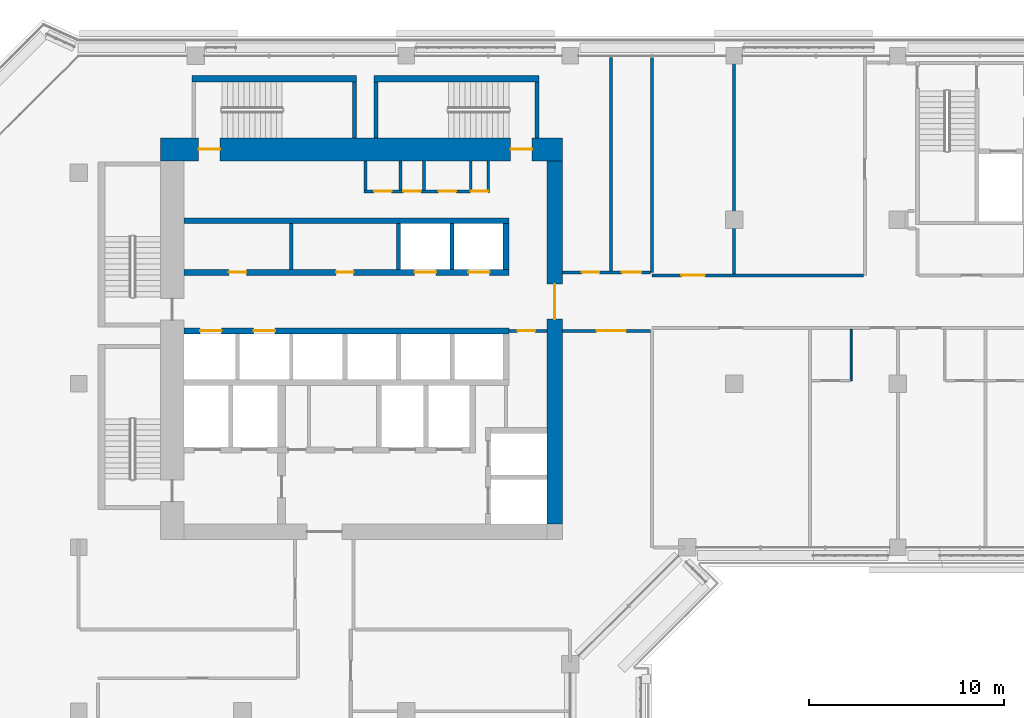
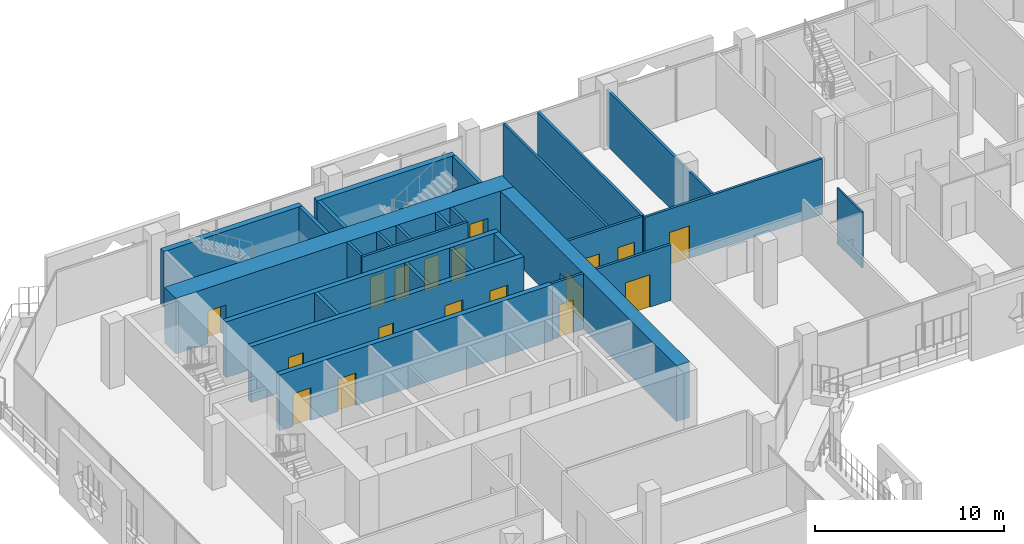
# One storey, part 12 of 21: 28 walls, 18 doors, 18 openings.
"""IFC4 building model written with IfcOpenShell, lengths in metres."""

from ifc_helpers import new_model, si_unit, direction, frame, frame_2d, origin, place, context, subcontext, project, spatial, rectangle, extrude, material, layer, layer_set, type_object, element, fill, save


model = new_model("IFC4")

# Units and contexts
model_context = context("Model", 3, precision=1e-05, world=origin(), true_north=direction((0.0, 1.0)))
body_context = subcontext(model_context, "Body", "Model", "MODEL_VIEW")
ifc_project = project(units=[si_unit("LENGTHUNIT", "METRE"), si_unit("AREAUNIT", "SQUARE_METRE"), si_unit("VOLUMEUNIT", "CUBIC_METRE"), si_unit("PLANEANGLEUNIT", "RADIAN"), si_unit("MASSUNIT", "GRAM", prefix="KILO")], contexts=[model_context])

# Site, building, storey
site_placement = place(None, origin())
site = spatial("IfcSite", under=ifc_project, at=site_placement, CompositionType="ELEMENT")
building_placement = place(site_placement, origin())
building = spatial("IfcBuilding", under=site, at=building_placement, Name="Kawkab Arch Medical Tower", CompositionType="ELEMENT")
storey_placement = place(building_placement, frame((0.0, 0.0, 234.800048828125)))
storey = spatial("IfcBuildingStorey", under=building, at=storey_placement, Name="L54", CompositionType="ELEMENT", Elevation=234.800048828125)

# Wall, openings, doors
ifc_material_1 = material(Name="Concrete C50/60", Category="concrete")
ifc_layer_1 = layer(ifc_material_1, 1.199951171875)
ifc_layer_set_1 = layer_set([ifc_layer_1], Name="Concrete C50/60")
wall_type_1 = type_object("IfcWallType", Name="Core ring wall 1200 C50/60", PredefinedType="SHEAR", material=ifc_layer_set_1)
wall_1_placement = place(storey_placement, frame((4.199951171875, -4.800048828125, 0.0), z_axis=(0.0, 0.0, 1.0), x_axis=(1.0, 0.0, 0.0)))
wall_1 = element("IfcWall", 1, at=wall_1_placement, inside=storey, type_object=wall_type_1, Name="L54 core wall", PredefinedType="SHEAR", context=body_context, shape_type="SweptSolid", body=[
    extrude(rectangle(XDim=20.60009765625, YDim=1.199951171875, at=frame_2d((10.300048828125, 0.0))), origin(), (0.0, 0.0, 1.0), 3.599853515625),
])
opening_1_placement = place(wall_1_placement, frame((1.949951171875, 0.0, 0.0)))
opening_1 = element("IfcOpeningElement", 2, at=opening_1_placement, cuts=wall_1, Name="Opening SD", PredefinedType="OPENING", context=body_context, shape_type="SweptSolid", body=[
    extrude(rectangle(XDim=1.10009765625, YDim=2.10009765625, at=frame_2d((0.550048828125, 1.050048828125))), frame((0.0, 0.60986328125, 0.0), z_axis=(0.0, -1.0, 0.0), x_axis=(1.0, 0.0, 0.0)), (0.0, 0.0, 1.0), 1.219970703125),
])
opening_2_placement = place(wall_1_placement, frame((17.949951171875, 0.0, 0.0)))
opening_2 = element("IfcOpeningElement", 3, at=opening_2_placement, cuts=wall_1, Name="Opening SD", PredefinedType="OPENING", context=body_context, shape_type="SweptSolid", body=[
    extrude(rectangle(XDim=1.10009765625, YDim=2.10009765625, at=frame_2d((0.550048828125, 1.050048828125))), frame((0.0, 0.60986328125, 0.0), z_axis=(0.0, -1.0, 0.0), x_axis=(1.0, 0.0, 0.0)), (0.0, 0.0, 1.0), 1.219970703125),
])
ifc_material_2 = material(Name="Hollow metal fire door leaf")
door_type_1 = type_object("IfcDoorType", Name="Exit stair door 1100", OperationType="SINGLE_SWING_LEFT", PredefinedType="DOOR", material=ifc_material_2)
door_1_placement = place(opening_1_placement, origin())
door_1 = element("IfcDoor", 4, at=door_1_placement, inside=storey, type_object=door_type_1, Name="L54 Exit stair ST3 door", OperationType="SINGLE_SWING_LEFT", OverallHeight=2.10009765625, OverallWidth=1.10009765625, PredefinedType="DOOR", context=body_context, shape_type="SweptSolid", body=[
    extrude(rectangle(XDim=1.10009765625, YDim=2.10009765625, at=frame_2d((0.550048828125, 1.050048828125))), frame((0.0, 0.02490234375, 0.0), z_axis=(0.0, -1.0, 0.0), x_axis=(1.0, 0.0, 0.0)), (0.0, 0.0, 1.0), 0.050048828125),
])
fill(opening_1, door_1)
door_2_placement = place(opening_2_placement, origin())
door_2 = element("IfcDoor", 5, at=door_2_placement, inside=storey, type_object=door_type_1, Name="L54 Exit stair ST4 door", OperationType="SINGLE_SWING_LEFT", OverallHeight=2.10009765625, OverallWidth=1.10009765625, PredefinedType="DOOR", context=body_context, shape_type="SweptSolid", body=[
    extrude(rectangle(XDim=1.10009765625, YDim=2.10009765625, at=frame_2d((0.550048828125, 1.050048828125))), frame((0.0, 0.02490234375, 0.0), z_axis=(0.0, -1.0, 0.0), x_axis=(1.0, 0.0, 0.0)), (0.0, 0.0, 1.0), 0.050048828125),
])
fill(opening_2, door_2)

# Wall, opening, door
ifc_material_3 = material(Name="Concrete C50/60", Category="concrete")
ifc_layer_2 = layer(ifc_material_3, 0.800048828125)
ifc_layer_set_2 = layer_set([ifc_layer_2], Name="Concrete C50/60")
wall_type_2 = type_object("IfcWallType", Name="Core ring wall 800 C50/60", PredefinedType="SHEAR", material=ifc_layer_set_2)
wall_2_placement = place(storey_placement, frame((24.39990234375, -24.0, 0.0), z_axis=(0.0, 0.0, 1.0), x_axis=(0.0, 1.0, 0.0)))
wall_2 = element("IfcWall", 6, at=wall_2_placement, inside=storey, type_object=wall_type_2, Name="L54 core wall", PredefinedType="SHEAR", context=body_context, shape_type="SweptSolid", body=[
    extrude(rectangle(XDim=18.60009765625, YDim=0.800048828125, at=frame_2d((9.300048828125, 0.0))), origin(), (0.0, 0.0, 1.0), 3.599853515625),
])
opening_3_placement = place(wall_2_placement, frame((10.5, 0.0, 0.0)))
opening_3 = element("IfcOpeningElement", 7, at=opening_3_placement, cuts=wall_2, Name="Opening PD", PredefinedType="OPENING", context=body_context, shape_type="SweptSolid", body=[
    extrude(rectangle(XDim=1.800048828125, YDim=2.10009765625, at=frame_2d((0.89990234375, 1.050048828125))), frame((0.0, 0.409912109375, 0.0), z_axis=(0.0, -1.0, 0.0), x_axis=(1.0, 0.0, 0.0)), (0.0, 0.0, 1.0), 0.820068359375),
])
ifc_material_4 = material(Name="Hollow metal fire door leaf")
door_type_2 = type_object("IfcDoorType", Name="Core entrance doors 1800", OperationType="DOUBLE_DOOR_SINGLE_SWING", PredefinedType="DOOR", material=ifc_material_4)
door_3_placement = place(opening_3_placement, origin())
door_3 = element("IfcDoor", 8, at=door_3_placement, inside=storey, type_object=door_type_2, Name="L54 East entrance doors", OperationType="DOUBLE_DOOR_SINGLE_SWING", OverallHeight=2.10009765625, OverallWidth=1.800048828125, PredefinedType="DOOR", context=body_context, shape_type="SweptSolid", body=[
    extrude(rectangle(XDim=1.800048828125, YDim=2.10009765625, at=frame_2d((0.89990234375, 1.050048828125))), frame((0.0, 0.02490234375, 0.0), z_axis=(0.0, -1.0, 0.0), x_axis=(1.0, 0.0, 0.0)), (0.0, 0.0, 1.0), 0.050048828125),
])
fill(opening_3, door_3)

ifc_material_5 = material(Name="Gypsum board on steel studs", Category="steel")
ifc_layer_3 = layer(ifc_material_5, 0.14990234375)
ifc_layer_set_3 = layer_set([ifc_layer_3], Name="Gypsum board on steel studs")
wall_type_3 = type_object("IfcWallType", Name="Core room partition 150", PredefinedType="PARTITIONING", material=ifc_layer_set_3)
wall_3_placement = place(storey_placement, frame((22.050048828125, -14.10009765625, 0.0), z_axis=(0.0, 0.0, 1.0), x_axis=(1.0, 0.0, 0.0)))
wall_3 = element("IfcWall", 9, at=wall_3_placement, inside=storey, type_object=wall_type_3, Name="L54 core room partition", PredefinedType="PARTITIONING", context=body_context, shape_type="SweptSolid", body=[
    extrude(rectangle(XDim=1.949951171875, YDim=0.14990234375, at=frame_2d((0.97509765625, 0.0))), origin(), (0.0, 0.0, 1.0), 3.599853515625),
])
opening_4_placement = place(wall_3_placement, frame((0.449951171875, 0.0, 0.0)))
opening_4 = element("IfcOpeningElement", 10, at=opening_4_placement, cuts=wall_3, Name="Opening RD", PredefinedType="OPENING", context=body_context, shape_type="SweptSolid", body=[
    extrude(rectangle(XDim=0.89990234375, YDim=2.10009765625, at=frame_2d((0.449951171875, 1.050048828125))), frame((0.0, 0.0849609375, 0.0), z_axis=(0.0, -1.0, 0.0), x_axis=(1.0, 0.0, 0.0)), (0.0, 0.0, 1.0), 0.169921875),
])
ifc_material_6 = material(Name="Hollow metal fire door leaf")
door_type_3 = type_object("IfcDoorType", Name="Core room door 900", OperationType="SINGLE_SWING_LEFT", PredefinedType="DOOR", material=ifc_material_6)
door_4_placement = place(opening_4_placement, origin())
door_4 = element("IfcDoor", 11, at=door_4_placement, inside=storey, type_object=door_type_3, Name="L54 Data room door", OperationType="SINGLE_SWING_LEFT", OverallHeight=2.10009765625, OverallWidth=0.89990234375, PredefinedType="DOOR", context=body_context, shape_type="SweptSolid", body=[
    extrude(rectangle(XDim=0.89990234375, YDim=2.10009765625, at=frame_2d((0.449951171875, 1.050048828125))), frame((0.0, 0.02490234375, 0.0), z_axis=(0.0, -1.0, 0.0), x_axis=(1.0, 0.0, 0.0)), (0.0, 0.0, 1.0), 0.050048828125),
])
fill(opening_4, door_4)

# Wall, openings, doors
wall_4_placement = place(storey_placement, frame((14.625, -6.949951171875, 0.0), z_axis=(0.0, 0.0, 1.0), x_axis=(1.0, 0.0, 0.0)))
wall_4 = element("IfcWall", 12, at=wall_4_placement, inside=storey, type_object=wall_type_3, Name="L54 core room partition", PredefinedType="PARTITIONING", context=body_context, shape_type="SweptSolid", body=[
    extrude(rectangle(XDim=6.449951171875, YDim=0.14990234375, at=frame_2d((3.22509765625, 0.0))), origin(), (0.0, 0.0, 1.0), 3.599853515625),
])
opening_5_placement = place(wall_4_placement, frame((0.52490234375, 0.0, 0.0)))
opening_5 = element("IfcOpeningElement", 13, at=opening_5_placement, cuts=wall_4, Name="Opening RD", PredefinedType="OPENING", context=body_context, shape_type="SweptSolid", body=[
    extrude(rectangle(XDim=0.89990234375, YDim=2.10009765625, at=frame_2d((0.449951171875, 1.050048828125))), frame((0.0, 0.0849609375, 0.0), z_axis=(0.0, -1.0, 0.0), x_axis=(1.0, 0.0, 0.0)), (0.0, 0.0, 1.0), 0.169921875),
])
opening_6_placement = place(wall_4_placement, frame((2.02490234375, 0.0, 0.0)))
opening_6 = element("IfcOpeningElement", 14, at=opening_6_placement, cuts=wall_4, Name="Opening RD", PredefinedType="OPENING", context=body_context, shape_type="SweptSolid", body=[
    extrude(rectangle(XDim=0.89990234375, YDim=2.10009765625, at=frame_2d((0.449951171875, 1.050048828125))), frame((0.0, 0.0849609375, 0.0), z_axis=(0.0, -1.0, 0.0), x_axis=(1.0, 0.0, 0.0)), (0.0, 0.0, 1.0), 0.169921875),
])
opening_7_placement = place(wall_4_placement, frame((3.824951171875, 0.0, 0.0)))
opening_7 = element("IfcOpeningElement", 15, at=opening_7_placement, cuts=wall_4, Name="Opening RD", PredefinedType="OPENING", context=body_context, shape_type="SweptSolid", body=[
    extrude(rectangle(XDim=0.89990234375, YDim=2.10009765625, at=frame_2d((0.449951171875, 1.050048828125))), frame((0.0, 0.0849609375, 0.0), z_axis=(0.0, -1.0, 0.0), x_axis=(1.0, 0.0, 0.0)), (0.0, 0.0, 1.0), 0.169921875),
])
opening_8_placement = place(wall_4_placement, frame((5.47509765625, 0.0, 0.0)))
opening_8 = element("IfcOpeningElement", 16, at=opening_8_placement, cuts=wall_4, Name="Opening RD", PredefinedType="OPENING", context=body_context, shape_type="SweptSolid", body=[
    extrude(rectangle(XDim=0.89990234375, YDim=2.10009765625, at=frame_2d((0.449951171875, 1.050048828125))), frame((0.0, 0.0849609375, 0.0), z_axis=(0.0, -1.0, 0.0), x_axis=(1.0, 0.0, 0.0)), (0.0, 0.0, 1.0), 0.169921875),
])
door_5_placement = place(opening_5_placement, origin())
door_5 = element("IfcDoor", 17, at=door_5_placement, inside=storey, type_object=door_type_3, Name="L54 Comms room door", OperationType="SINGLE_SWING_LEFT", OverallHeight=2.10009765625, OverallWidth=0.89990234375, PredefinedType="DOOR", context=body_context, shape_type="SweptSolid", body=[
    extrude(rectangle(XDim=0.89990234375, YDim=2.10009765625, at=frame_2d((0.449951171875, 1.050048828125))), frame((0.0, 0.02490234375, 0.0), z_axis=(0.0, -1.0, 0.0), x_axis=(1.0, 0.0, 0.0)), (0.0, 0.0, 1.0), 0.050048828125),
])
fill(opening_5, door_5)
door_6_placement = place(opening_6_placement, origin())
door_6 = element("IfcDoor", 18, at=door_6_placement, inside=storey, type_object=door_type_3, Name="L54 Electrical riser room door", OperationType="SINGLE_SWING_LEFT", OverallHeight=2.10009765625, OverallWidth=0.89990234375, PredefinedType="DOOR", context=body_context, shape_type="SweptSolid", body=[
    extrude(rectangle(XDim=0.89990234375, YDim=2.10009765625, at=frame_2d((0.449951171875, 1.050048828125))), frame((0.0, 0.02490234375, 0.0), z_axis=(0.0, -1.0, 0.0), x_axis=(1.0, 0.0, 0.0)), (0.0, 0.0, 1.0), 0.050048828125),
])
fill(opening_6, door_6)
door_7_placement = place(opening_7_placement, origin())
door_7 = element("IfcDoor", 19, at=door_7_placement, inside=storey, type_object=door_type_3, Name="L54 General store door", OperationType="SINGLE_SWING_LEFT", OverallHeight=2.10009765625, OverallWidth=0.89990234375, PredefinedType="DOOR", context=body_context, shape_type="SweptSolid", body=[
    extrude(rectangle(XDim=0.89990234375, YDim=2.10009765625, at=frame_2d((0.449951171875, 1.050048828125))), frame((0.0, 0.02490234375, 0.0), z_axis=(0.0, -1.0, 0.0), x_axis=(1.0, 0.0, 0.0)), (0.0, 0.0, 1.0), 0.050048828125),
])
fill(opening_7, door_7)
door_8_placement = place(opening_8_placement, origin())
door_8 = element("IfcDoor", 20, at=door_8_placement, inside=storey, type_object=door_type_3, Name="L54 UPS room door", OperationType="SINGLE_SWING_LEFT", OverallHeight=2.10009765625, OverallWidth=0.89990234375, PredefinedType="DOOR", context=body_context, shape_type="SweptSolid", body=[
    extrude(rectangle(XDim=0.89990234375, YDim=2.10009765625, at=frame_2d((0.449951171875, 1.050048828125))), frame((0.0, 0.02490234375, 0.0), z_axis=(0.0, -1.0, 0.0), x_axis=(1.0, 0.0, 0.0)), (0.0, 0.0, 1.0), 0.050048828125),
])
fill(opening_8, door_8)

# Walls
for number, where, z_axis, x_axis, name in (
    (21, (14.699951171875, -6.875, 0.0), (0.0, 0.0, 1.0), (0.0, 1.0, 0.0), "L54 core room partition"),
    (22, (16.5, -6.875, 0.0), (0.0, 0.0, 1.0), (0.0, 1.0, 0.0), "L54 core room partition"),
    (23, (17.699951171875, -6.875, 0.0), (0.0, 0.0, 1.0), (0.0, 1.0, 0.0), "L54 core room partition"),
    (24, (20.10009765625, -6.875, 0.0), (0.0, 0.0, 1.0), (0.0, 1.0, 0.0), "L54 core room partition"),
    (25, (21.0, -6.875, 0.0), (0.0, 0.0, 1.0), (0.0, 1.0, 0.0), "L54 core room partition"),
):
    element("IfcWall", number, at=place(storey_placement, frame(where, z_axis=z_axis, x_axis=x_axis)), inside=storey, type_object=wall_type_3, Name=name, PredefinedType="PARTITIONING", context=body_context, shape_type="SweptSolid", body=[
        extrude(rectangle(XDim=1.47509765625, YDim=0.14990234375, at=frame_2d((0.737548828125, 0.0))), origin(), (0.0, 0.0, 1.0), 3.599853515625),
    ])
ifc_material_7 = material(Name="Concrete C60/75", Category="concrete")
ifc_layer_4 = layer(ifc_material_7, 0.300048828125)
ifc_layer_set_4 = layer_set([ifc_layer_4], Name="Concrete C60/75")
wall_type_4 = type_object("IfcWallType", Name="Core shear wall 300 C60/75", PredefinedType="SHEAR", material=ifc_layer_set_4)
wall_5_placement = place(storey_placement, frame((5.39990234375, -8.449951171875, 0.0), z_axis=(0.0, 0.0, 1.0), x_axis=(1.0, 0.0, 0.0)))
element("IfcWall", 26, at=wall_5_placement, inside=storey, type_object=wall_type_4, Name="L54 core shear wall", PredefinedType="SHEAR", context=body_context, shape_type="SweptSolid", body=[
    extrude(rectangle(XDim=16.650146484375, YDim=0.300048828125, at=frame_2d((8.3251953125, 0.0))), origin(), (0.0, 0.0, 1.0), 3.599853515625),
])

# Wall, openings, doors
wall_6_placement = place(storey_placement, frame((5.39990234375, -11.10009765625, 0.0), z_axis=(0.0, 0.0, 1.0), x_axis=(1.0, 0.0, 0.0)))
wall_6 = element("IfcWall", 27, at=wall_6_placement, inside=storey, type_object=wall_type_4, Name="L54 core shear wall", PredefinedType="SHEAR", context=body_context, shape_type="SweptSolid", body=[
    extrude(rectangle(XDim=16.650146484375, YDim=0.300048828125, at=frame_2d((8.3251953125, 0.0))), origin(), (0.0, 0.0, 1.0), 3.599853515625),
])
opening_9_placement = place(wall_6_placement, frame((11.824951171875, 0.0, 0.0)))
opening_9 = element("IfcOpeningElement", 28, at=opening_9_placement, cuts=wall_6, Name="Opening LD1", PredefinedType="OPENING", context=body_context, shape_type="SweptSolid", body=[
    extrude(rectangle(XDim=1.10009765625, YDim=2.10009765625, at=frame_2d((0.550048828125, 1.050048828125))), frame((0.0, 0.159912109375, 0.0), z_axis=(0.0, -1.0, 0.0), x_axis=(1.0, 0.0, 0.0)), (0.0, 0.0, 1.0), 0.320068359375),
])
opening_10_placement = place(wall_6_placement, frame((14.574951171875, 0.0, 0.0)))
opening_10 = element("IfcOpeningElement", 29, at=opening_10_placement, cuts=wall_6, Name="Opening LD1", PredefinedType="OPENING", context=body_context, shape_type="SweptSolid", body=[
    extrude(rectangle(XDim=1.10009765625, YDim=2.10009765625, at=frame_2d((0.550048828125, 1.050048828125))), frame((0.0, 0.159912109375, 0.0), z_axis=(0.0, -1.0, 0.0), x_axis=(1.0, 0.0, 0.0)), (0.0, 0.0, 1.0), 0.320068359375),
])
opening_11_placement = place(wall_6_placement, frame((2.300048828125, 0.0, 0.0)))
opening_11 = element("IfcOpeningElement", 30, at=opening_11_placement, cuts=wall_6, Name="Opening RD", PredefinedType="OPENING", context=body_context, shape_type="SweptSolid", body=[
    extrude(rectangle(XDim=0.89990234375, YDim=2.10009765625, at=frame_2d((0.449951171875, 1.050048828125))), frame((0.0, 0.159912109375, 0.0), z_axis=(0.0, -1.0, 0.0), x_axis=(1.0, 0.0, 0.0)), (0.0, 0.0, 1.0), 0.320068359375),
])
opening_12_placement = place(wall_6_placement, frame((7.800048828125, 0.0, 0.0)))
opening_12 = element("IfcOpeningElement", 31, at=opening_12_placement, cuts=wall_6, Name="Opening RD", PredefinedType="OPENING", context=body_context, shape_type="SweptSolid", body=[
    extrude(rectangle(XDim=0.89990234375, YDim=2.10009765625, at=frame_2d((0.449951171875, 1.050048828125))), frame((0.0, 0.159912109375, 0.0), z_axis=(0.0, -1.0, 0.0), x_axis=(1.0, 0.0, 0.0)), (0.0, 0.0, 1.0), 0.320068359375),
])
door_9_placement = place(opening_11_placement, origin())
door_9 = element("IfcDoor", 32, at=door_9_placement, inside=storey, type_object=door_type_3, Name="L54 Ward pantry door", OperationType="SINGLE_SWING_LEFT", OverallHeight=2.10009765625, OverallWidth=0.89990234375, PredefinedType="DOOR", context=body_context, shape_type="SweptSolid", body=[
    extrude(rectangle(XDim=0.89990234375, YDim=2.10009765625, at=frame_2d((0.449951171875, 1.050048828125))), frame((0.0, 0.02490234375, 0.0), z_axis=(0.0, -1.0, 0.0), x_axis=(1.0, 0.0, 0.0)), (0.0, 0.0, 1.0), 0.050048828125),
])
fill(opening_11, door_9)
door_10_placement = place(opening_12_placement, origin())
door_10 = element("IfcDoor", 33, at=door_10_placement, inside=storey, type_object=door_type_3, Name="L54 Comms room door", OperationType="SINGLE_SWING_LEFT", OverallHeight=2.10009765625, OverallWidth=0.89990234375, PredefinedType="DOOR", context=body_context, shape_type="SweptSolid", body=[
    extrude(rectangle(XDim=0.89990234375, YDim=2.10009765625, at=frame_2d((0.449951171875, 1.050048828125))), frame((0.0, 0.02490234375, 0.0), z_axis=(0.0, -1.0, 0.0), x_axis=(1.0, 0.0, 0.0)), (0.0, 0.0, 1.0), 0.050048828125),
])
fill(opening_12, door_10)
ifc_material_8 = material(Name="Stainless steel lift door leaf", Category="steel")
door_type_4 = type_object("IfcDoorType", Name="Lift landing door 1100", OperationType="DOUBLE_DOOR_SLIDING", PredefinedType="DOOR", material=ifc_material_8)
door_11_placement = place(opening_9_placement, origin())
door_11 = element("IfcDoor", 34, at=door_11_placement, inside=storey, type_object=door_type_4, Name="L54 Lift landing door MP1", OperationType="DOUBLE_DOOR_SLIDING", OverallHeight=2.10009765625, OverallWidth=1.10009765625, PredefinedType="DOOR", context=body_context, shape_type="SweptSolid", body=[
    extrude(rectangle(XDim=1.10009765625, YDim=2.10009765625, at=frame_2d((0.550048828125, 1.050048828125))), frame((0.0, 0.02490234375, 0.0), z_axis=(0.0, -1.0, 0.0), x_axis=(1.0, 0.0, 0.0)), (0.0, 0.0, 1.0), 0.050048828125),
])
fill(opening_9, door_11)
door_12_placement = place(opening_10_placement, origin())
door_12 = element("IfcDoor", 35, at=door_12_placement, inside=storey, type_object=door_type_4, Name="L54 Lift landing door MP2", OperationType="DOUBLE_DOOR_SLIDING", OverallHeight=2.10009765625, OverallWidth=1.10009765625, PredefinedType="DOOR", context=body_context, shape_type="SweptSolid", body=[
    extrude(rectangle(XDim=1.10009765625, YDim=2.10009765625, at=frame_2d((0.550048828125, 1.050048828125))), frame((0.0, 0.02490234375, 0.0), z_axis=(0.0, -1.0, 0.0), x_axis=(1.0, 0.0, 0.0)), (0.0, 0.0, 1.0), 0.050048828125),
])
fill(opening_10, door_12)

wall_7_placement = place(storey_placement, frame((5.39990234375, -14.10009765625, 0.0), z_axis=(0.0, 0.0, 1.0), x_axis=(1.0, 0.0, 0.0)))
wall_7 = element("IfcWall", 36, at=wall_7_placement, inside=storey, type_object=wall_type_4, Name="L54 core shear wall", PredefinedType="SHEAR", context=body_context, shape_type="SweptSolid", body=[
    extrude(rectangle(XDim=16.650146484375, YDim=0.300048828125, at=frame_2d((8.3251953125, 0.0))), origin(), (0.0, 0.0, 1.0), 3.599853515625),
])
opening_13_placement = place(wall_7_placement, frame((0.824951171875, 0.0, 0.0)))
opening_13 = element("IfcOpeningElement", 37, at=opening_13_placement, cuts=wall_7, Name="Opening LD1", PredefinedType="OPENING", context=body_context, shape_type="SweptSolid", body=[
    extrude(rectangle(XDim=1.10009765625, YDim=2.10009765625, at=frame_2d((0.550048828125, 1.050048828125))), frame((0.0, 0.159912109375, 0.0), z_axis=(0.0, -1.0, 0.0), x_axis=(1.0, 0.0, 0.0)), (0.0, 0.0, 1.0), 0.320068359375),
])
opening_14_placement = place(wall_7_placement, frame((3.574951171875, 0.0, 0.0)))
opening_14 = element("IfcOpeningElement", 38, at=opening_14_placement, cuts=wall_7, Name="Opening LD1", PredefinedType="OPENING", context=body_context, shape_type="SweptSolid", body=[
    extrude(rectangle(XDim=1.10009765625, YDim=2.10009765625, at=frame_2d((0.550048828125, 1.050048828125))), frame((0.0, 0.159912109375, 0.0), z_axis=(0.0, -1.0, 0.0), x_axis=(1.0, 0.0, 0.0)), (0.0, 0.0, 1.0), 0.320068359375),
])
door_13_placement = place(opening_13_placement, origin())
door_13 = element("IfcDoor", 39, at=door_13_placement, inside=storey, type_object=door_type_4, Name="L54 Lift landing door MP3", OperationType="DOUBLE_DOOR_SLIDING", OverallHeight=2.10009765625, OverallWidth=1.10009765625, PredefinedType="DOOR", context=body_context, shape_type="SweptSolid", body=[
    extrude(rectangle(XDim=1.10009765625, YDim=2.10009765625, at=frame_2d((0.550048828125, 1.050048828125))), frame((0.0, 0.02490234375, 0.0), z_axis=(0.0, -1.0, 0.0), x_axis=(1.0, 0.0, 0.0)), (0.0, 0.0, 1.0), 0.050048828125),
])
fill(opening_13, door_13)
door_14_placement = place(opening_14_placement, origin())
door_14 = element("IfcDoor", 40, at=door_14_placement, inside=storey, type_object=door_type_4, Name="L54 Lift landing door MP4", OperationType="DOUBLE_DOOR_SLIDING", OverallHeight=2.10009765625, OverallWidth=1.10009765625, PredefinedType="DOOR", context=body_context, shape_type="SweptSolid", body=[
    extrude(rectangle(XDim=1.10009765625, YDim=2.10009765625, at=frame_2d((0.550048828125, 1.050048828125))), frame((0.0, 0.02490234375, 0.0), z_axis=(0.0, -1.0, 0.0), x_axis=(1.0, 0.0, 0.0)), (0.0, 0.0, 1.0), 0.050048828125),
])
fill(opening_14, door_14)

# Walls
wall_8_placement = place(storey_placement, frame((21.89990234375, -10.949951171875, 0.0), z_axis=(0.0, 0.0, 1.0), x_axis=(0.0, 1.0, 0.0)))
element("IfcWall", 41, at=wall_8_placement, inside=storey, type_object=wall_type_4, Name="L54 core shear wall", PredefinedType="SHEAR", context=body_context, shape_type="SweptSolid", body=[
    extrude(rectangle(XDim=2.349853515625, YDim=0.300048828125, at=frame_2d((1.1748046875, 0.0))), origin(), (0.0, 0.0, 1.0), 3.599853515625),
])
ifc_material_9 = material(Name="Dense concrete blockwork", Category="masonry")
ifc_layer_5 = layer(ifc_material_9, 0.199951171875)
ifc_layer_set_5 = layer_set([ifc_layer_5], Name="Dense concrete blockwork")
wall_type_5 = type_object("IfcWallType", Name="Lift shaft partition 200", PredefinedType="PARTITIONING", material=ifc_layer_set_5)
for number, where, z_axis, x_axis, name in (
    (42, (10.89990234375, -10.949951171875, 0.0), (0.0, 0.0, 1.0), (0.0, 1.0, 0.0), "L54 lift shaft partition"),
    (43, (16.39990234375, -10.949951171875, 0.0), (0.0, 0.0, 1.0), (0.0, 1.0, 0.0), "L54 lift shaft partition"),
    (44, (19.14990234375, -10.949951171875, 0.0), (0.0, 0.0, 1.0), (0.0, 1.0, 0.0), "L54 lift shaft partition"),
):
    element("IfcWall", number, at=place(storey_placement, frame(where, z_axis=z_axis, x_axis=x_axis)), inside=storey, type_object=wall_type_5, Name=name, PredefinedType="PARTITIONING", context=body_context, shape_type="SweptSolid", body=[
        extrude(rectangle(XDim=2.349853515625, YDim=0.199951171875, at=frame_2d((1.1748046875, 0.0))), origin(), (0.0, 0.0, 1.0), 3.599853515625),
    ])
ifc_material_10 = material(Name="Gypsum board partition on steel studs", Category="steel")
ifc_layer_6 = layer(ifc_material_10, 0.10009765625)
ifc_layer_set_6 = layer_set([ifc_layer_6], Name="Gypsum board partition on steel studs")
wall_type_6 = type_object("IfcWallType", Name="Partition 100", PredefinedType="PARTITIONING", material=ifc_layer_set_6)
wall_9_placement = place(storey_placement, frame((39.60009765625, -16.64990234375, 0.0), z_axis=(0.0, 0.0, 1.0), x_axis=(0.0, 1.0, 0.0)))
element("IfcWall", 45, at=wall_9_placement, inside=storey, type_object=wall_type_6, Name="Partition 100 w004", PredefinedType="PARTITIONING", context=body_context, shape_type="SweptSolid", body=[
    extrude(rectangle(XDim=2.625, YDim=0.10009765625, at=frame_2d((1.3125, 0.0))), origin(), (0.0, 0.0, 1.0), 3.599853515625),
])

# Wall, opening, door
ifc_material_11 = material(Name="Gypsum board partition on steel studs, mineral wool", Category="steel")
ifc_layer_7 = layer(ifc_material_11, 0.14990234375)
ifc_layer_set_7 = layer_set([ifc_layer_7], Name="Gypsum board partition on steel studs, mineral wool")
wall_type_7 = type_object("IfcWallType", Name="Partition 150", PredefinedType="PARTITIONING", material=ifc_layer_set_7)
wall_10_placement = place(storey_placement, frame((24.800048828125, -14.10009765625, 0.0), z_axis=(0.0, 0.0, 1.0), x_axis=(1.0, 0.0, 0.0)))
wall_10 = element("IfcWall", 46, at=wall_10_placement, inside=storey, type_object=wall_type_7, Name="Partition 150 w020", PredefinedType="PARTITIONING", context=body_context, shape_type="SweptSolid", body=[
    extrude(rectangle(XDim=4.52490234375, YDim=0.14990234375, at=frame_2d((2.262451171875, 0.0))), origin(), (0.0, 0.0, 1.0), 3.599853515625),
])
opening_15_placement = place(wall_10_placement, frame((1.75, 0.0, 0.0)))
opening_15 = element("IfcOpeningElement", 47, at=opening_15_placement, cuts=wall_10, Name="Opening W54-001", PredefinedType="OPENING", context=body_context, shape_type="SweptSolid", body=[
    extrude(rectangle(XDim=1.5, YDim=2.10009765625, at=frame_2d((0.75, 1.050048828125))), frame((0.0, 0.0849609375, 0.0), z_axis=(0.0, -1.0, 0.0), x_axis=(1.0, 0.0, 0.0)), (0.0, 0.0, 1.0), 0.169921875),
])
ifc_material_12 = material(Name="Hollow metal door leaf")
door_type_5 = type_object("IfcDoorType", Name="Double door 1500x2100 FD30S", OperationType="NOTDEFINED", PredefinedType="DOOR", material=ifc_material_12)
door_15_placement = place(opening_15_placement, origin())
door_15 = element("IfcDoor", 48, at=door_15_placement, inside=storey, type_object=door_type_5, Name="Door W54-001", OperationType="DOUBLE_DOOR_SINGLE_SWING", OverallHeight=2.10009765625, OverallWidth=1.5, PredefinedType="DOOR", context=body_context, shape_type="SweptSolid", body=[
    extrude(rectangle(XDim=1.5, YDim=2.10009765625, at=frame_2d((0.75, 1.050048828125))), frame((0.0, 0.02490234375, 0.0), z_axis=(0.0, -1.0, 0.0), x_axis=(1.0, 0.0, 0.0)), (0.0, 0.0, 1.0), 0.050048828125),
])
fill(opening_15, door_15)

wall_11_placement = place(storey_placement, frame((29.39990234375, -11.25, 0.0), z_axis=(0.0, 0.0, 1.0), x_axis=(1.0, 0.0, 0.0)))
wall_11 = element("IfcWall", 49, at=wall_11_placement, inside=storey, type_object=wall_type_7, Name="Partition 150 w022", PredefinedType="PARTITIONING", context=body_context, shape_type="SweptSolid", body=[
    extrude(rectangle(XDim=10.83203125, YDim=0.14990234375, at=frame_2d((5.416015625, 0.0))), origin(), (0.0, 0.0, 1.0), 3.599853515625),
])
opening_16_placement = place(wall_11_placement, frame((1.5, 0.0, 0.0)))
opening_16 = element("IfcOpeningElement", 50, at=opening_16_placement, cuts=wall_11, Name="Opening W54-028", PredefinedType="OPENING", context=body_context, shape_type="SweptSolid", body=[
    extrude(rectangle(XDim=1.199951171875, YDim=2.10009765625, at=frame_2d((0.60009765625, 1.050048828125))), frame((0.0, 0.0849609375, 0.0), z_axis=(0.0, -1.0, 0.0), x_axis=(1.0, 0.0, 0.0)), (0.0, 0.0, 1.0), 0.169921875),
])
ifc_material_13 = material(Name="Hollow metal door leaf")
door_type_6 = type_object("IfcDoorType", Name="Single door 1200x2100 FD30S", OperationType="NOTDEFINED", PredefinedType="DOOR", material=ifc_material_13)
door_16_placement = place(opening_16_placement, origin())
door_16 = element("IfcDoor", 51, at=door_16_placement, inside=storey, type_object=door_type_6, Name="Door W54-028", OperationType="SINGLE_SWING_LEFT", OverallHeight=2.10009765625, OverallWidth=1.199951171875, PredefinedType="DOOR", context=body_context, shape_type="SweptSolid", body=[
    extrude(rectangle(XDim=1.199951171875, YDim=2.10009765625, at=frame_2d((0.60009765625, 1.050048828125))), frame((0.0, 0.02490234375, 0.0), z_axis=(0.0, -1.0, 0.0), x_axis=(1.0, 0.0, 0.0)), (0.0, 0.0, 1.0), 0.050048828125),
])
fill(opening_16, door_16)

# Wall, openings, doors
wall_12_placement = place(storey_placement, frame((24.800048828125, -11.10009765625, 0.0), z_axis=(0.0, 0.0, 1.0), x_axis=(1.0, 0.0, 0.0)))
wall_12 = element("IfcWall", 52, at=wall_12_placement, inside=storey, type_object=wall_type_7, Name="Partition 150 w025", PredefinedType="PARTITIONING", context=body_context, shape_type="SweptSolid", body=[
    extrude(rectangle(XDim=4.52490234375, YDim=0.14990234375, at=frame_2d((2.262451171875, 0.0))), origin(), (0.0, 0.0, 1.0), 3.599853515625),
])
opening_17_placement = place(wall_12_placement, frame((1.0, 0.0, 0.0)))
opening_17 = element("IfcOpeningElement", 53, at=opening_17_placement, cuts=wall_12, Name="Opening W54-007", PredefinedType="OPENING", context=body_context, shape_type="SweptSolid", body=[
    extrude(rectangle(XDim=0.89990234375, YDim=2.10009765625, at=frame_2d((0.449951171875, 1.050048828125))), frame((0.0, 0.0849609375, 0.0), z_axis=(0.0, -1.0, 0.0), x_axis=(1.0, 0.0, 0.0)), (0.0, 0.0, 1.0), 0.169921875),
])
opening_18_placement = place(wall_12_placement, frame((3.050048828125, 0.0, 0.0)))
opening_18 = element("IfcOpeningElement", 54, at=opening_18_placement, cuts=wall_12, Name="Opening W54-008", PredefinedType="OPENING", context=body_context, shape_type="SweptSolid", body=[
    extrude(rectangle(XDim=1.0, YDim=2.10009765625, at=frame_2d((0.5, 1.050048828125))), frame((0.0, 0.0849609375, 0.0), z_axis=(0.0, -1.0, 0.0), x_axis=(1.0, 0.0, 0.0)), (0.0, 0.0, 1.0), 0.169921875),
])
ifc_material_14 = material(Name="Timber door leaf", Category="wood")
door_type_7 = type_object("IfcDoorType", Name="Single door 1000x2100", OperationType="NOTDEFINED", PredefinedType="DOOR", material=ifc_material_14)
door_17_placement = place(opening_18_placement, origin())
door_17 = element("IfcDoor", 55, at=door_17_placement, inside=storey, type_object=door_type_7, Name="Door W54-008", OperationType="SINGLE_SWING_RIGHT", OverallHeight=2.10009765625, OverallWidth=1.0, PredefinedType="DOOR", context=body_context, shape_type="SweptSolid", body=[
    extrude(rectangle(XDim=1.0, YDim=2.10009765625, at=frame_2d((0.5, 1.050048828125))), frame((0.0, 0.02490234375, 0.0), z_axis=(0.0, -1.0, 0.0), x_axis=(1.0, 0.0, 0.0)), (0.0, 0.0, 1.0), 0.050048828125),
])
fill(opening_18, door_17)
ifc_material_15 = material(Name="Timber door leaf", Category="wood")
door_type_8 = type_object("IfcDoorType", Name="Single door 900x2100", OperationType="NOTDEFINED", PredefinedType="DOOR", material=ifc_material_15)
door_18_placement = place(opening_17_placement, origin())
door_18 = element("IfcDoor", 56, at=door_18_placement, inside=storey, type_object=door_type_8, Name="Door W54-007", OperationType="SINGLE_SWING_LEFT", OverallHeight=2.10009765625, OverallWidth=0.89990234375, PredefinedType="DOOR", context=body_context, shape_type="SweptSolid", body=[
    extrude(rectangle(XDim=0.89990234375, YDim=2.10009765625, at=frame_2d((0.449951171875, 1.050048828125))), frame((0.0, 0.02490234375, 0.0), z_axis=(0.0, -1.0, 0.0), x_axis=(1.0, 0.0, 0.0)), (0.0, 0.0, 1.0), 0.050048828125),
])
fill(opening_17, door_18)

# Walls
wall_13_placement = place(storey_placement, frame((27.300048828125, -11.02490234375, 0.0), z_axis=(0.0, 0.0, 1.0), x_axis=(0.0, 1.0, 0.0)))
element("IfcWall", 57, at=wall_13_placement, inside=storey, type_object=wall_type_7, Name="Partition 150 w043", PredefinedType="PARTITIONING", context=body_context, shape_type="SweptSolid", body=[
    extrude(rectangle(XDim=10.94482421875, YDim=0.14990234375, at=frame_2d((5.472412109375, 0.0))), origin(), (0.0, 0.0, 1.0), 3.599853515625),
])
wall_14_placement = place(storey_placement, frame((29.39990234375, -11.10009765625, 0.0), z_axis=(0.0, 0.0, 1.0), x_axis=(0.0, 1.0, 0.0)))
element("IfcWall", 58, at=wall_14_placement, inside=storey, type_object=wall_type_7, Name="Partition 150 w045", PredefinedType="PARTITIONING", context=body_context, shape_type="SweptSolid", body=[
    extrude(rectangle(XDim=11.02001953125, YDim=0.14990234375, at=frame_2d((5.510009765625, 0.0))), origin(), (0.0, 0.0, 1.0), 3.599853515625),
])
wall_15_placement = place(storey_placement, frame((33.60009765625, -11.175048828125, 0.0), z_axis=(0.0, 0.0, 1.0), x_axis=(0.0, 1.0, 0.0)))
element("IfcWall", 59, at=wall_15_placement, inside=storey, type_object=wall_type_7, Name="Partition 150 w046", PredefinedType="PARTITIONING", context=body_context, shape_type="SweptSolid", body=[
    extrude(rectangle(XDim=11.094970703125, YDim=0.14990234375, at=frame_2d((5.54736328125, 0.0))), origin(), (0.0, 0.0, 1.0), 3.599853515625),
])
ifc_material_16 = material(Name="Concrete C50/60", Category="concrete")
ifc_layer_8 = layer(ifc_material_16, 0.199951171875)
ifc_layer_set_8 = layer_set([ifc_layer_8], Name="Concrete C50/60")
wall_type_8 = type_object("IfcWallType", Name="Stair enclosure wall 200 C50/60", PredefinedType="SHEAR", material=ifc_layer_set_8)
for number, where, z_axis, x_axis, name in (
    (60, (14.14990234375, -4.199951171875, 0.0), (0.0, 0.0, 1.0), (0.0, 1.0, 0.0), "L54 stair enclosure wall"),
    (61, (15.25, -4.199951171875, 0.0), (0.0, 0.0, 1.0), (0.0, 1.0, 0.0), "L54 stair enclosure wall"),
    (62, (23.5, -4.199951171875, 0.0), (0.0, 0.0, 1.0), (0.0, 1.0, 0.0), "L54 stair enclosure wall"),
):
    element("IfcWall", number, at=place(storey_placement, frame(where, z_axis=z_axis, x_axis=x_axis)), inside=storey, type_object=wall_type_8, Name=name, PredefinedType="SHEAR", context=body_context, shape_type="SweptSolid", body=[
        extrude(rectangle(XDim=2.849853515625, YDim=0.199951171875, at=frame_2d((1.4248046875, 0.0))), origin(), (0.0, 0.0, 1.0), 3.599853515625),
    ])
ifc_material_17 = material(Name="Concrete C50/60", Category="concrete")
ifc_layer_9 = layer(ifc_material_17, 0.35009765625)
ifc_layer_set_9 = layer_set([ifc_layer_9], Name="Concrete C50/60")
wall_type_9 = type_object("IfcWallType", Name="Stair enclosure wall 350 C50/60", PredefinedType="SHEAR", material=ifc_layer_set_9)
wall_16_placement = place(storey_placement, frame((5.800048828125, -1.175048828125, 0.0), z_axis=(0.0, 0.0, 1.0), x_axis=(1.0, 0.0, 0.0)))
element("IfcWall", 63, at=wall_16_placement, inside=storey, type_object=wall_type_9, Name="L54 stair enclosure wall", PredefinedType="SHEAR", context=body_context, shape_type="SweptSolid", body=[
    extrude(rectangle(XDim=8.449951171875, YDim=0.35009765625, at=frame_2d((4.22509765625, 0.0))), origin(), (0.0, 0.0, 1.0), 3.599853515625),
])
wall_17_placement = place(storey_placement, frame((15.14990234375, -1.175048828125, 0.0), z_axis=(0.0, 0.0, 1.0), x_axis=(1.0, 0.0, 0.0)))
element("IfcWall", 64, at=wall_17_placement, inside=storey, type_object=wall_type_9, Name="L54 stair enclosure wall", PredefinedType="SHEAR", context=body_context, shape_type="SweptSolid", body=[
    extrude(rectangle(XDim=8.4501953125, YDim=0.35009765625, at=frame_2d((4.22509765625, 0.0))), origin(), (0.0, 0.0, 1.0), 3.599853515625),
])

save(model, "model.ifc")
